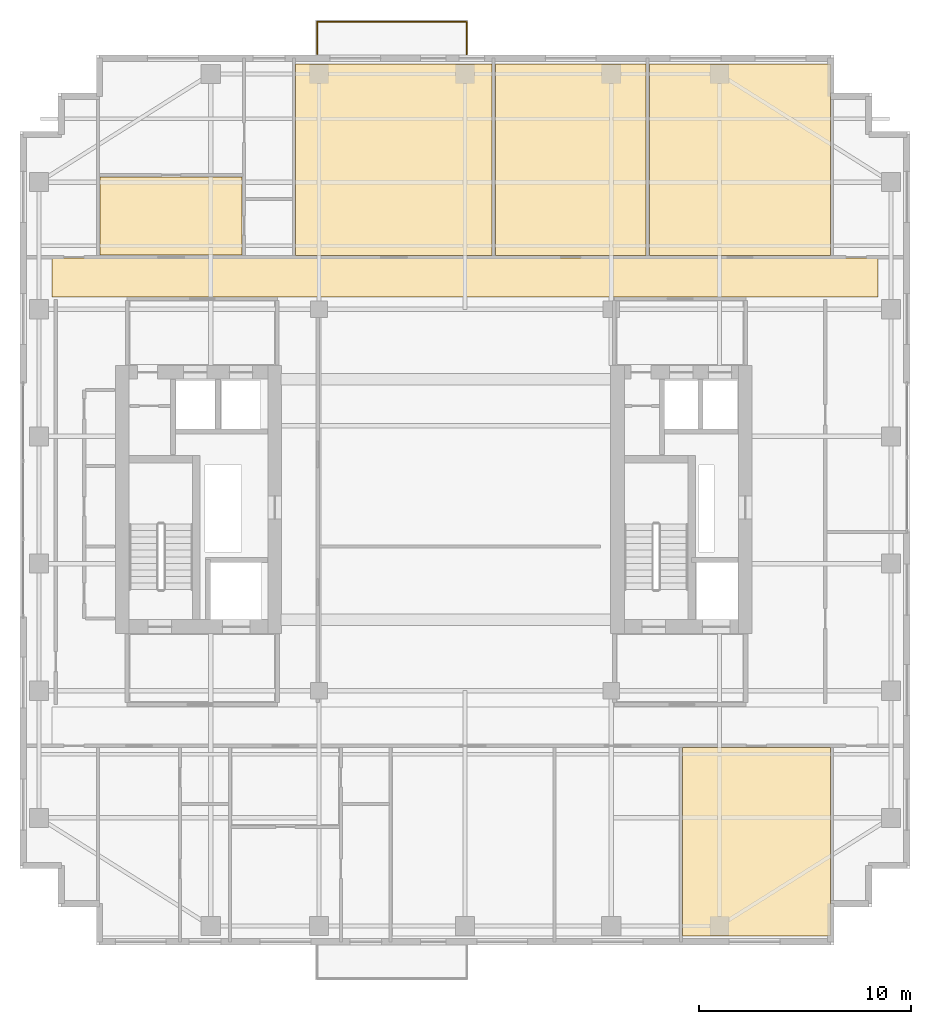
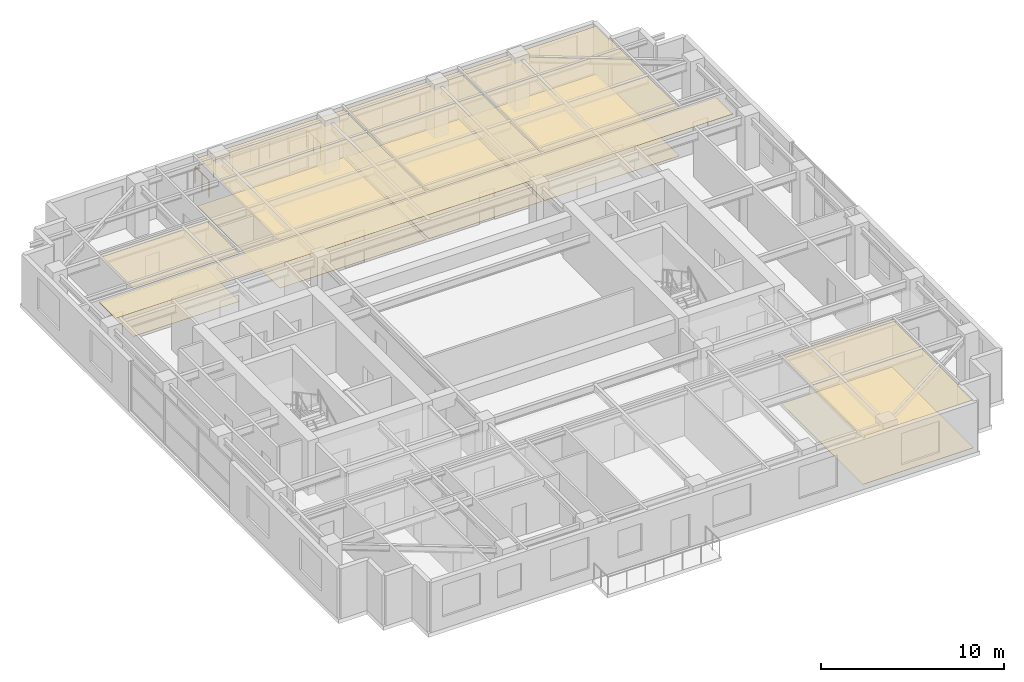
# One storey, part 15 of 15: 11 coverings, 1 railing.
"""IFC4 building model written with IfcOpenShell, lengths in metres."""

from ifc_helpers import new_model, si_unit, direction, frame, origin, origin_2d, place, context, subcontext, project, spatial, polyline, circle, outline, extrude, material, layer, layer_set, type_object, element, save


model = new_model("IFC4")

# Units and contexts
model_context = context("Model", 3, precision=1e-05, world=origin(), true_north=direction((0.0, 1.0)))
body_context = subcontext(model_context, "Body", "Model", "MODEL_VIEW")
ifc_project = project(units=[si_unit("LENGTHUNIT", "METRE"), si_unit("AREAUNIT", "SQUARE_METRE"), si_unit("VOLUMEUNIT", "CUBIC_METRE"), si_unit("PLANEANGLEUNIT", "RADIAN"), si_unit("MASSUNIT", "GRAM", prefix="KILO")], contexts=[model_context])

# Site, building, storey
site_placement = place(None, origin())
site = spatial("IfcSite", under=ifc_project, at=site_placement, CompositionType="ELEMENT")
building_placement = place(site_placement, origin())
building = spatial("IfcBuilding", under=site, at=building_placement, Name="Khoralis Quay Care Tower", CompositionType="ELEMENT")
storey_placement = place(building_placement, frame((0.0, 0.0, 162.89990234375)))
storey = spatial("IfcBuildingStorey", under=building, at=storey_placement, Name="L42", CompositionType="ELEMENT", Elevation=162.89990234375)

# Coverings
ifc_material_1 = material(Name="Mineral-fibre acoustic ceiling tile")
ifc_layer_1 = layer(ifc_material_1, 0.01806640625)
ifc_layer_set_1 = layer_set([ifc_layer_1], Name="Mineral-fibre acoustic ceiling tile")
covering_type_1 = type_object("IfcCoveringType", Name="COV-CEIL-AC18", PredefinedType="CEILING", material=ifc_layer_set_1)
covering_1_placement = place(storey_placement, frame((0.0, 0.0, 3.192138671875)))
element("IfcCovering", 1, at=covering_1_placement, inside=storey, type_object=covering_type_1, Name="Suspended Acoustic Ceiling SP-L42-CORR-N", PredefinedType="CEILING", context=body_context, shape_type="SweptSolid", body=[
    extrude(outline(polyline([(4.52001953125, 30.590087890625), (43.47998046875, 30.590087890625), (43.47998046875, 32.419921875), (4.52001953125, 32.419921875), (4.52001953125, 30.590087890625)])), origin(), (0.0, 0.0, 1.0), 0.01806640625),
])
covering_2_placement = place(storey_placement, frame((0.0, 0.0, 3.192138671875)))
element("IfcCovering", 2, at=covering_2_placement, inside=storey, type_object=covering_type_1, Name="Suspended Acoustic Ceiling SP-L42-SB-COM4", PredefinedType="CEILING", context=body_context, shape_type="SweptSolid", body=[
    extrude(outline(polyline([(34.260009765625, 0.419921875), (41.239990234375, 0.419921875), (41.239990234375, 9.320068359375), (34.260009765625, 9.320068359375), (34.260009765625, 0.419921875)])), origin(), (0.0, 0.0, 1.0), 0.01806640625),
])
covering_3_placement = place(storey_placement, frame((0.0, 0.0, 3.192138671875)))
element("IfcCovering", 3, at=covering_3_placement, inside=storey, type_object=covering_type_1, Name="Suspended Acoustic Ceiling SP-L42-NB-CARE0", PredefinedType="CEILING", context=body_context, shape_type="SweptSolid", body=[
    extrude(outline(polyline([(6.780029296875, 32.56005859375), (13.47998046875, 32.56005859375), (13.47998046875, 36.239990234375), (6.780029296875, 36.239990234375), (6.780029296875, 32.56005859375)])), origin(), (0.0, 0.0, 1.0), 0.01806640625),
])
covering_4_placement = place(storey_placement, frame((0.0, 0.0, 3.192138671875)))
element("IfcCovering", 4, at=covering_4_placement, inside=storey, type_object=covering_type_1, Name="Suspended Acoustic Ceiling SP-L42-NB-COM1", PredefinedType="CEILING", context=body_context, shape_type="SweptSolid", body=[
    extrude(outline(polyline([(16.010009765625, 32.5400390625), (25.27001953125, 32.5400390625), (25.27001953125, 41.580078125), (16.010009765625, 41.580078125), (16.010009765625, 32.5400390625)])), origin(), (0.0, 0.0, 1.0), 0.01806640625),
])
covering_5_placement = place(storey_placement, frame((0.0, 0.0, 3.192138671875)))
element("IfcCovering", 5, at=covering_5_placement, inside=storey, type_object=covering_type_1, Name="Suspended Acoustic Ceiling SP-L42-NB-COM2", PredefinedType="CEILING", context=body_context, shape_type="SweptSolid", body=[
    extrude(outline(polyline([(25.429931640625, 32.5400390625), (32.5400390625, 32.5400390625), (32.5400390625, 41.580078125), (25.429931640625, 41.580078125), (25.429931640625, 32.5400390625)])), origin(), (0.0, 0.0, 1.0), 0.01806640625),
])
covering_6_placement = place(storey_placement, frame((0.0, 0.0, 3.192138671875)))
element("IfcCovering", 6, at=covering_6_placement, inside=storey, type_object=covering_type_1, Name="Suspended Acoustic Ceiling SP-L42-NB-COM3", PredefinedType="CEILING", context=body_context, shape_type="SweptSolid", body=[
    extrude(outline(polyline([(32.699951171875, 32.5400390625), (41.239990234375, 32.5400390625), (41.239990234375, 41.580078125), (32.699951171875, 41.580078125), (32.699951171875, 32.5400390625)])), origin(), (0.0, 0.0, 1.0), 0.01806640625),
])
ifc_material_2 = material(Name="Porcelain and non-slip vinyl flooring")
ifc_layer_2 = layer(ifc_material_2, 0.02001953125)
ifc_layer_set_2 = layer_set([ifc_layer_2], Name="Porcelain and non-slip vinyl flooring")
covering_type_2 = type_object("IfcCoveringType", Name="COV-FLOOR-20", PredefinedType="FLOORING", material=ifc_layer_set_2)
covering_7_placement = place(storey_placement, origin())
element("IfcCovering", 7, at=covering_7_placement, inside=storey, type_object=covering_type_2, Name="Resilient Healthcare Flooring SP-L42-SB-COM4", PredefinedType="FLOORING", context=body_context, shape_type="SweptSolid", body=[
    extrude(outline(polyline([(34.260009765625, 0.419921875), (41.239990234375, 0.419921875), (41.239990234375, 9.320068359375), (34.260009765625, 9.320068359375), (34.260009765625, 0.419921875)])), origin(), (0.0, 0.0, 1.0), 0.02001953125),
])
covering_8_placement = place(storey_placement, origin())
element("IfcCovering", 8, at=covering_8_placement, inside=storey, type_object=covering_type_2, Name="Resilient Healthcare Flooring SP-L42-NB-CARE0", PredefinedType="FLOORING", context=body_context, shape_type="SweptSolid", body=[
    extrude(outline(polyline([(6.780029296875, 32.56005859375), (13.47998046875, 32.56005859375), (13.47998046875, 36.239990234375), (6.780029296875, 36.239990234375), (6.780029296875, 32.56005859375)])), origin(), (0.0, 0.0, 1.0), 0.02001953125),
])
covering_9_placement = place(storey_placement, origin())
element("IfcCovering", 9, at=covering_9_placement, inside=storey, type_object=covering_type_2, Name="Resilient Healthcare Flooring SP-L42-NB-COM1", PredefinedType="FLOORING", context=body_context, shape_type="SweptSolid", body=[
    extrude(outline(polyline([(16.010009765625, 32.5400390625), (25.27001953125, 32.5400390625), (25.27001953125, 41.580078125), (16.010009765625, 41.580078125), (16.010009765625, 32.5400390625)])), origin(), (0.0, 0.0, 1.0), 0.02001953125),
])
covering_10_placement = place(storey_placement, origin())
element("IfcCovering", 10, at=covering_10_placement, inside=storey, type_object=covering_type_2, Name="Resilient Healthcare Flooring SP-L42-NB-COM2", PredefinedType="FLOORING", context=body_context, shape_type="SweptSolid", body=[
    extrude(outline(polyline([(25.429931640625, 32.5400390625), (32.5400390625, 32.5400390625), (32.5400390625, 41.580078125), (25.429931640625, 41.580078125), (25.429931640625, 32.5400390625)])), origin(), (0.0, 0.0, 1.0), 0.02001953125),
])
covering_11_placement = place(storey_placement, origin())
element("IfcCovering", 11, at=covering_11_placement, inside=storey, type_object=covering_type_2, Name="Resilient Healthcare Flooring SP-L42-NB-COM3", PredefinedType="FLOORING", context=body_context, shape_type="SweptSolid", body=[
    extrude(outline(polyline([(32.699951171875, 32.5400390625), (41.239990234375, 32.5400390625), (41.239990234375, 41.580078125), (32.699951171875, 41.580078125), (32.699951171875, 32.5400390625)])), origin(), (0.0, 0.0, 1.0), 0.02001953125),
])

# Railing
ifc_material_3 = material(Name="Pale anodised aluminium", Category="aluminium")
railing_type = type_object("IfcRailingType", Name="RL-BALUST-1150", PredefinedType="BALUSTRADE", material=ifc_material_3)
railing_placement = place(storey_placement, frame((17.030029296875, 42.0400390625, -0.039794921875)))
element("IfcRailing", 12, at=railing_placement, inside=storey, type_object=railing_type, Name="L42 Senior Loggia Balcony Guard", PredefinedType="BALUSTRADE", context=body_context, shape_type="SweptSolid", body=[
    extrude(circle(Radius=0.02392578125, at=origin_2d()), frame((0.0, 0.0, 1.1259765625), z_axis=(0.0, 1.0, 0.0), x_axis=(-1.0, 0.0, 0.0)), (0.0, 0.0, 1.0), 1.530029296875),
    extrude(circle(Radius=0.02392578125, at=origin_2d()), frame((0.0, 1.530029296875, 1.1259765625), z_axis=(1.0, 0.0, 0.0), x_axis=(0.0, 1.0, 0.0)), (0.0, 0.0, 1.0), 7.0400390625),
    extrude(circle(Radius=0.02392578125, at=origin_2d()), frame((7.0400390625, 1.530029296875, 1.1259765625), z_axis=(0.0, -1.0, 0.0), x_axis=(1.0, 0.0, 0.0)), (0.0, 0.0, 1.0), 1.530029296875),
    extrude(circle(Radius=0.02099609375, at=origin_2d()), origin(), (0.0, 0.0, 1.0), 1.101806640625),
    extrude(circle(Radius=0.02099609375, at=origin_2d()), frame((0.0, 0.76513671875, 0.0)), (0.0, 0.0, 1.0), 1.101806640625),
    extrude(circle(Radius=0.02099609375, at=origin_2d()), frame((0.0, 1.530029296875, 0.0)), (0.0, 0.0, 1.0), 1.101806640625),
    extrude(circle(Radius=0.02099609375, at=origin_2d()), frame((1.17333984375, 1.530029296875, 0.0)), (0.0, 0.0, 1.0), 1.101806640625),
    extrude(circle(Radius=0.02099609375, at=origin_2d()), frame((2.3466796875, 1.530029296875, 0.0)), (0.0, 0.0, 1.0), 1.101806640625),
    extrude(circle(Radius=0.02099609375, at=origin_2d()), frame((3.52001953125, 1.530029296875, 0.0)), (0.0, 0.0, 1.0), 1.101806640625),
    extrude(circle(Radius=0.02099609375, at=origin_2d()), frame((4.693359375, 1.530029296875, 0.0)), (0.0, 0.0, 1.0), 1.101806640625),
    extrude(circle(Radius=0.02099609375, at=origin_2d()), frame((5.86669921875, 1.530029296875, 0.0)), (0.0, 0.0, 1.0), 1.101806640625),
    extrude(circle(Radius=0.02099609375, at=origin_2d()), frame((7.0400390625, 1.530029296875, 0.0)), (0.0, 0.0, 1.0), 1.101806640625),
    extrude(circle(Radius=0.02099609375, at=origin_2d()), frame((7.0400390625, 0.76513671875, 0.0)), (0.0, 0.0, 1.0), 1.101806640625),
    extrude(circle(Radius=0.02099609375, at=origin_2d()), frame((7.0400390625, 0.0, 0.0)), (0.0, 0.0, 1.0), 1.101806640625),
])

save(model, "model.ifc")
